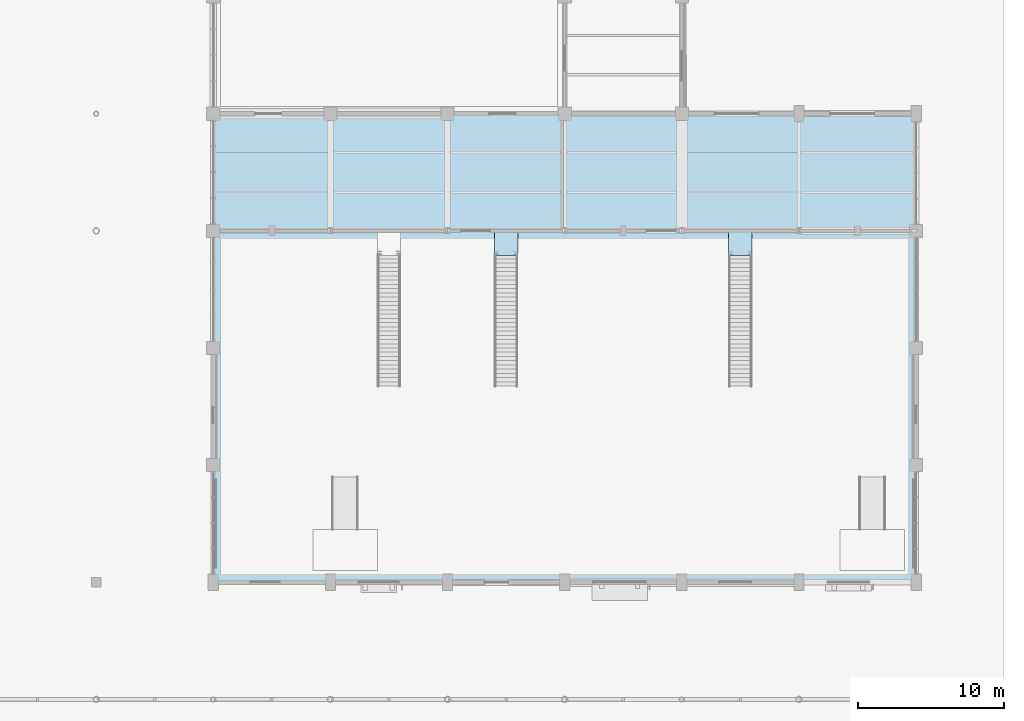
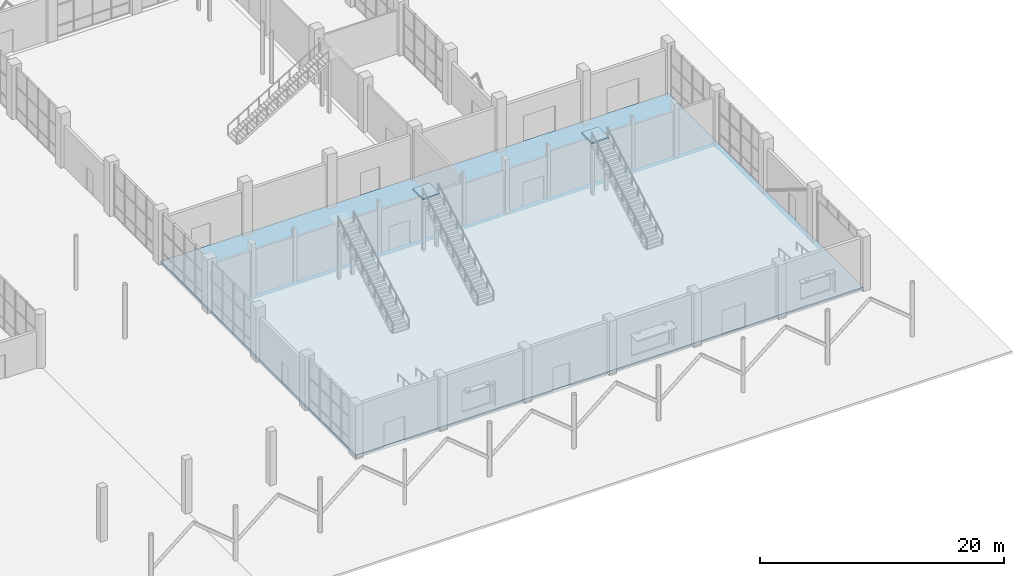
# One storey, part 89 of 123: 3 slabs, 2 elements without a shape of their own.
"""IFC4 building model written with IfcOpenShell, lengths in metres."""

from ifc_helpers import new_model, si_unit, direction, frame, origin, place, context, subcontext, project, spatial, polyline, outline, extrude, material, layer, layer_set, type_object, element, aggregate, save


model = new_model("IFC4")

# Units and contexts
model_context = context("Model", 3, precision=1e-05, world=origin(), true_north=direction((0.0, 1.0)))
body_context = subcontext(model_context, "Body", "Model", "MODEL_VIEW")
ifc_project = project(units=[si_unit("LENGTHUNIT", "METRE"), si_unit("AREAUNIT", "SQUARE_METRE"), si_unit("VOLUMEUNIT", "CUBIC_METRE"), si_unit("PLANEANGLEUNIT", "RADIAN"), si_unit("MASSUNIT", "GRAM", prefix="KILO")], contexts=[model_context])

# Site, building, storey
site_placement = place(None, origin())
site = spatial("IfcSite", under=ifc_project, at=site_placement, CompositionType="ELEMENT")
building_placement = place(site_placement, origin())
building = spatial("IfcBuilding", under=site, at=building_placement, Name="Tenunan Teduh Sports Hall", CompositionType="ELEMENT")
storey_placement = place(building_placement, origin())
storey = spatial("IfcBuildingStorey", under=building, at=storey_placement, Name="L00", CompositionType="ELEMENT", Elevation=0.0)

# Slab
ifc_material_1 = material(Name="Concrete C40/50", Category="concrete")
ifc_layer_1 = layer(ifc_material_1, 0.320068359375)
ifc_layer_set_1 = layer_set([ifc_layer_1], Name="Concrete C40/50")
slab_type_1 = type_object("IfcSlabType", Name="SLB-COURT-320", PredefinedType="FLOOR", material=ifc_layer_set_1)
slab_1_placement = place(storey_placement, frame((0.0, 0.0, -0.320068359375)))
element("IfcSlab", 1, at=slab_1_placement, inside=storey, type_object=slab_type_1, Name="SL-L00-V1", PredefinedType="FLOOR", context=body_context, shape_type="SweptSolid", body=[
    extrude(outline(polyline([(122.0, 14.0), (170.0, 14.0), (170.0, 46.0), (122.0, 46.0), (122.0, 14.0)])), origin(), (0.0, 0.0, 1.0), 0.320068359375),
])

# Stair, slab
ifc_material_2 = material(Name="Precast concrete C40/50", Category="concrete")
stair_type = type_object("IfcStairType", Name="STR-VOM-E", PredefinedType="STRAIGHT_RUN_STAIR", material=ifc_material_2)
stair_1_placement = place(storey_placement, origin())
stair_1 = element("IfcStair", 2, at=stair_1_placement, inside=storey, type_object=stair_type, Name="STR-VOM-V1M", PredefinedType="STRAIGHT_RUN_STAIR")
ifc_material_3 = material(Name="Precast concrete C40/50", Category="concrete")
ifc_layer_2 = layer(ifc_material_3, 0.179931640625)
ifc_layer_set_2 = layer_set([ifc_layer_2], Name="Precast concrete C40/50")
slab_type_2 = type_object("IfcSlabType", Name="SLB-LND-180", PredefinedType="LANDING", material=ifc_layer_set_2)
slab_2_placement = place(storey_placement, frame((0.0, 0.0, 5.219970703125)))
slab_2 = element("IfcSlab", 3, at=slab_2_placement, type_object=slab_type_2, Name="ST-24 landing 1", PredefinedType="LANDING", context=body_context, shape_type="SweptSolid", body=[
    extrude(outline(polyline([(141.199951171875, 36.300048828125), (142.800048828125, 36.300048828125), (142.800048828125, 38.02001953125), (141.199951171875, 38.02001953125), (141.199951171875, 36.300048828125)])), origin(), (0.0, 0.0, 1.0), 0.179931640625),
])
aggregate(stair_1, [slab_2])

stair_2_placement = place(storey_placement, origin())
stair_2 = element("IfcStair", 4, at=stair_2_placement, inside=storey, type_object=stair_type, Name="STR-VOM-V1B", PredefinedType="STRAIGHT_RUN_STAIR")
slab_3_placement = place(storey_placement, frame((0.0, 0.0, 5.219970703125)))
slab_3 = element("IfcSlab", 5, at=slab_3_placement, type_object=slab_type_2, Name="ST-25 landing 1", PredefinedType="LANDING", context=body_context, shape_type="SweptSolid", body=[
    extrude(outline(polyline([(157.199951171875, 36.300048828125), (158.800048828125, 36.300048828125), (158.800048828125, 38.02001953125), (157.199951171875, 38.02001953125), (157.199951171875, 36.300048828125)])), origin(), (0.0, 0.0, 1.0), 0.179931640625),
])
aggregate(stair_2, [slab_3])

save(model, "model.ifc")
